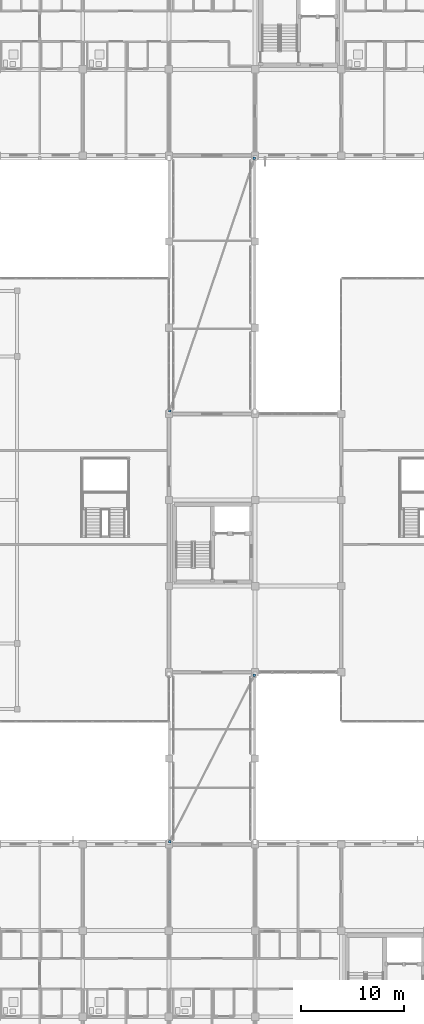
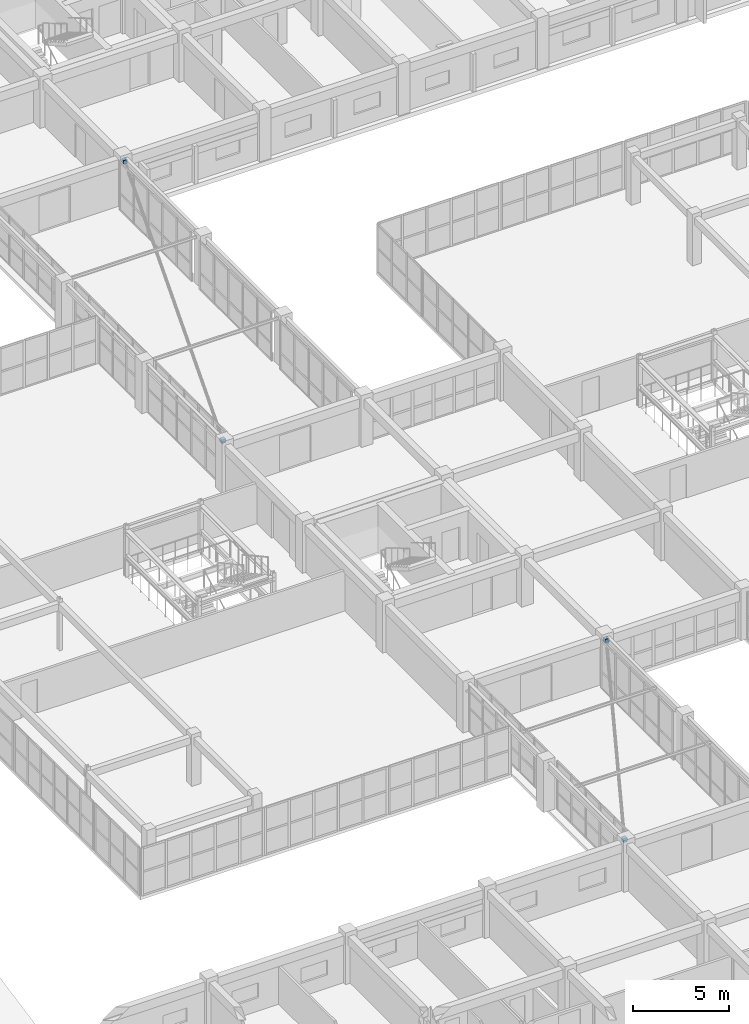
# One storey, part 134 of 148: 4 discrete accessories.
"""IFC4 building model written with IfcOpenShell, lengths in metres."""

from ifc_helpers import new_model, si_unit, direction, frame, origin, origin_2d, place, context, subcontext, project, spatial, rectangle, extrude, material, type_object, element, save


model = new_model("IFC4")

# Units and contexts
model_context = context("Model", 3, precision=1e-05, world=origin(), true_north=direction((0.0, 1.0)))
body_context = subcontext(model_context, "Body", "Model", "MODEL_VIEW")
ifc_project = project(units=[si_unit("LENGTHUNIT", "METRE"), si_unit("AREAUNIT", "SQUARE_METRE"), si_unit("VOLUMEUNIT", "CUBIC_METRE"), si_unit("PLANEANGLEUNIT", "RADIAN"), si_unit("MASSUNIT", "GRAM", prefix="KILO")], contexts=[model_context])

# Site, building, storey
site_placement = place(None, origin())
site = spatial("IfcSite", under=ifc_project, at=site_placement, CompositionType="ELEMENT")
building_placement = place(site_placement, origin())
building = spatial("IfcBuilding", under=site, at=building_placement, Name="Trelvath General Hospital", CompositionType="ELEMENT")
storey_placement = place(building_placement, frame((0.0, 0.0, 12.89990234375)))
storey = spatial("IfcBuildingStorey", under=building, at=storey_placement, Name="L03", CompositionType="ELEMENT", Elevation=12.89990234375)

# Discrete accessories
ifc_material = material(Name="Steel S355", Category="steel")
discrete_accessory_type = type_object("IfcDiscreteAccessoryType", Name="FacadeBracket S355", PredefinedType="BRACKET", material=ifc_material)
for number, where, z_axis, x_axis, name in (
    (1, (75.659912109375, 67.47998046875, 2.76513671875), (0.0, 0.0, 1.0), (1.0, 0.0, 0.0), "Bridge Brace Gusset Node BRG-N-C A L04"),
    (2, (83.93994140625, 92.1201171875, 2.76513671875), (0.0, 0.0, 1.0), (1.0, 0.0, 0.0), "Bridge Brace Gusset Node BRG-N-C B L04"),
    (3, (75.659912109375, 25.47998046875, 2.76513671875), (0.0, 0.0, 1.0), (1.0, 0.0, 0.0), "Bridge Brace Gusset Node BRG-S-C A L04"),
    (4, (83.93994140625, 41.719970703125, 2.76513671875), (0.0, 0.0, 1.0), (1.0, 0.0, 0.0), "Bridge Brace Gusset Node BRG-S-C B L04"),
):
    element("IfcDiscreteAccessory", number, at=place(storey_placement, frame(where, z_axis=z_axis, x_axis=x_axis)), inside=storey, type_object=discrete_accessory_type, Name=name, PredefinedType="BRACKET", context=body_context, shape_type="SweptSolid", body=[
        extrude(rectangle(XDim=0.239990234375, YDim=0.239990234375, at=origin_2d()), origin(), (0.0, 0.0, 1.0), 0.239990234375),
    ])

save(model, "model.ifc")
